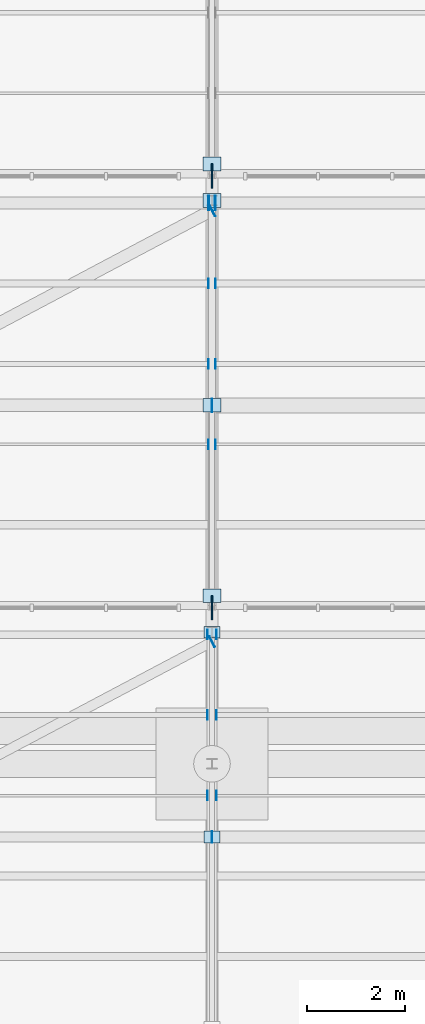
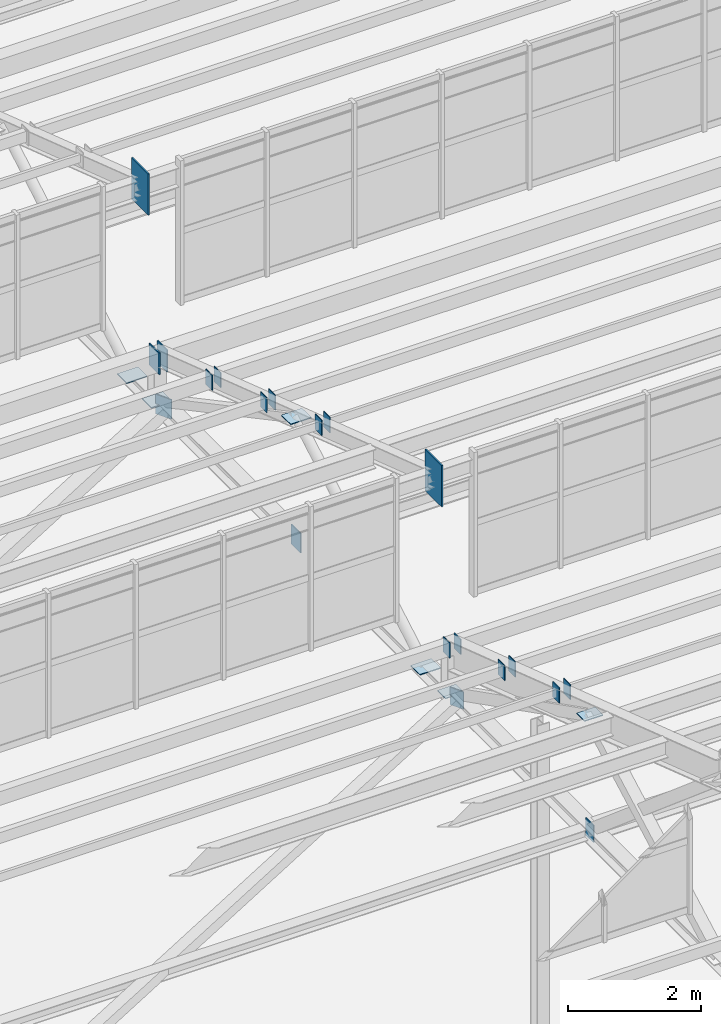
# One storey, part 207 of 285: 26 plates.
"""IFC4 building model written with IfcOpenShell, lengths in metres."""

from ifc_helpers import new_model, si_unit, direction, frame, origin, origin_2d, place, context, subcontext, project, spatial, rectangle, extrude, material, layer, layer_set, type_object, element, save


model = new_model("IFC4")

# Units and contexts
model_context = context("Model", 3, precision=1e-05, world=origin(), true_north=direction((0.0, 1.0)))
body_context = subcontext(model_context, "Body", "Model", "MODEL_VIEW")
ifc_project = project(units=[si_unit("LENGTHUNIT", "METRE"), si_unit("AREAUNIT", "SQUARE_METRE"), si_unit("VOLUMEUNIT", "CUBIC_METRE"), si_unit("PLANEANGLEUNIT", "RADIAN"), si_unit("MASSUNIT", "GRAM", prefix="KILO")], contexts=[model_context])

# Site, building, storey
site_placement = place(None, origin())
site = spatial("IfcSite", under=ifc_project, at=site_placement, CompositionType="ELEMENT")
building_placement = place(site_placement, origin())
building = spatial("IfcBuilding", under=site, at=building_placement, Name="Solanera Park Tramway Depot", CompositionType="ELEMENT")
storey_placement = place(building_placement, origin())
storey = spatial("IfcBuildingStorey", under=building, at=storey_placement, Name="L00", CompositionType="ELEMENT", Elevation=0.0)

# Plates
ifc_material_1 = material(Name="Steel AS/NZS 3679.1 Grade 350", Category="steel")
ifc_layer_1 = layer(ifc_material_1, 0.013916015625)
ifc_layer_set_1 = layer_set([ifc_layer_1], Name="Steel AS/NZS 3679.1 Grade 350")
plate_type_1 = type_object("IfcPlateType", Name="Hollow End Cap and Base Plate 280x200x14", PredefinedType="USERDEFINED", material=ifc_layer_set_1)
for number, where, z_axis, x_axis, name in (
    (1, (29.90625, 113.85009765625, 8.41064453125), (0.0, 0.0, 1.0), (1.0, 0.0, 0.0), "Hollow Section Welded End Cap Plate #0686"),
    (2, (30.09375, 113.85009765625, 8.41064453125), (0.0, 0.0, 1.0), (1.0, 0.0, 0.0), "Hollow Section Welded End Cap Plate #0687"),
    (3, (29.90625, 115.5, 7.8251953125), (0.0, 0.0, 1.0), (1.0, 0.0, 0.0), "Hollow Section Welded End Cap Plate #0706"),
    (4, (30.09375, 115.5, 7.8251953125), (0.0, 0.0, 1.0), (1.0, 0.0, 0.0), "Hollow Section Welded End Cap Plate #0707"),
    (5, (29.90625, 117.14990234375, 7.23974609375), (0.0, 0.0, 1.0), (1.0, 0.0, 0.0), "Hollow Section Welded End Cap Plate #0726"),
    (6, (30.09375, 117.14990234375, 7.23974609375), (0.0, 0.0, 1.0), (1.0, 0.0, 0.0), "Hollow Section Welded End Cap Plate #0727"),
    (7, (29.927978515625, 121.050048828125, 8.96240234375), (0.0, 0.0, 1.0), (1.0, 0.0, 0.0), "Hollow Section Welded End Cap Plate #0815"),
    (8, (30.072021484375, 121.050048828125, 8.96240234375), (0.0, 0.0, 1.0), (1.0, 0.0, 0.0), "Hollow Section Welded End Cap Plate #0816"),
    (9, (29.927978515625, 122.699951171875, 8.376953125), (0.0, 0.0, 1.0), (1.0, 0.0, 0.0), "Hollow Section Welded End Cap Plate #0835"),
    (10, (30.072021484375, 122.699951171875, 8.376953125), (0.0, 0.0, 1.0), (1.0, 0.0, 0.0), "Hollow Section Welded End Cap Plate #0836"),
    (11, (29.927978515625, 124.35009765625, 7.79150390625), (0.0, 0.0, 1.0), (1.0, 0.0, 0.0), "Hollow Section Welded End Cap Plate #0855"),
    (12, (30.072021484375, 124.35009765625, 7.79150390625), (0.0, 0.0, 1.0), (1.0, 0.0, 0.0), "Hollow Section Welded End Cap Plate #0856"),
):
    element("IfcPlate", number, at=place(storey_placement, frame(where, z_axis=z_axis, x_axis=x_axis)), inside=storey, type_object=plate_type_1, Name=name, ObjectType="BASE PLATE", PredefinedType="USERDEFINED", context=body_context, shape_type="SweptSolid", body=[
        extrude(rectangle(XDim=0.013916015625, YDim=0.199951171875, at=origin_2d()), origin(), (0.0, 0.0, 1.0), 0.280029296875),
    ])
ifc_material_2 = material(Name="Steel AS/NZS 3679.1 Grade 350", Category="steel")
ifc_layer_2 = layer(ifc_material_2, 0.01611328125)
ifc_layer_set_2 = layer_set([ifc_layer_2], Name="Steel AS/NZS 3679.1 Grade 350")
plate_type_2 = type_object("IfcPlateType", Name="Hollow End Cap and Base Plate 320x240x16", PredefinedType="USERDEFINED", material=ifc_layer_set_2)
plate_1_placement = place(storey_placement, frame((30.0, 113.0, 6.33984375), z_axis=(0.0, 0.0, 1.0), x_axis=(1.0, 0.0, 0.0)))
element("IfcPlate", 13, at=plate_1_placement, inside=storey, type_object=plate_type_2, Name="Sawtooth Truss Hollow End Cap #0639", ObjectType="BASE PLATE", PredefinedType="USERDEFINED", context=body_context, shape_type="SweptSolid", body=[
    extrude(rectangle(XDim=0.01611328125, YDim=0.239990234375, at=origin_2d()), origin(), (0.0, 0.0, 1.0), 0.320068359375),
])
for number, where, z_axis, x_axis, name in (
    (14, (30.0, 117.199951171875, 6.491943359375), (0.0, 0.0, 1.0), (1.0, 0.0, 0.0), "Sawtooth Truss Node Cap Plate #0640"),
    (15, (30.0, 113.0, 8.62158203125), (0.0, 0.0, 1.0), (1.0, 0.0, 0.0), "Sawtooth Truss Node Cap Plate #0641"),
):
    element("IfcPlate", number, at=place(storey_placement, frame(where, z_axis=z_axis, x_axis=x_axis)), inside=storey, type_object=plate_type_2, Name=name, ObjectType="BASE PLATE", PredefinedType="USERDEFINED", context=body_context, shape_type="SweptSolid", body=[
        extrude(rectangle(XDim=0.320068359375, YDim=0.239990234375, at=origin_2d()), origin(), (0.0, 0.0, 1.0), 0.01611328125),
    ])
plate_2_placement = place(storey_placement, frame((30.00146484375, 117.001953125, 6.33984375), z_axis=(0.0, 0.0, 1.0), x_axis=(0.883520501477, 0.468392488698, 0.0)))
element("IfcPlate", 16, at=plate_2_placement, inside=storey, type_object=plate_type_2, Name="Hollow Section Welded End Cap Plate #0746", ObjectType="BASE PLATE", PredefinedType="USERDEFINED", context=body_context, shape_type="SweptSolid", body=[
    extrude(rectangle(XDim=0.01611328125, YDim=0.239990234375, at=origin_2d()), origin(), (0.0, 0.0, 1.0), 0.320068359375),
])
ifc_material_3 = material(Name="Steel AS/NZS 3679.1 Grade 350", Category="steel")
ifc_layer_3 = layer(ifc_material_3, 0.01806640625)
ifc_layer_set_3 = layer_set([ifc_layer_3], Name="Steel AS/NZS 3679.1 Grade 350")
plate_type_3 = type_object("IfcPlateType", Name="Hollow End Cap and Base Plate 360x280x18", PredefinedType="USERDEFINED", material=ifc_layer_set_3)
plate_3_placement = place(storey_placement, frame((30.0, 121.85009765625, 6.31982421875), z_axis=(0.0, 0.0, 1.0), x_axis=(1.0, 0.0, 0.0)))
element("IfcPlate", 17, at=plate_3_placement, inside=storey, type_object=plate_type_3, Name="Sawtooth Truss Hollow End Cap #0768", ObjectType="BASE PLATE", PredefinedType="USERDEFINED", context=body_context, shape_type="SweptSolid", body=[
    extrude(rectangle(XDim=0.01806640625, YDim=0.280029296875, at=origin_2d()), origin(), (0.0, 0.0, 1.0), 0.360107421875),
])
for number, where, z_axis, x_axis, name in (
    (18, (30.0, 126.050048828125, 6.490966796875), (0.0, 0.0, 1.0), (1.0, 0.0, 0.0), "Sawtooth Truss Node Cap Plate #0769"),
    (19, (30.0, 121.85009765625, 8.733642578125), (0.0, 0.0, 1.0), (1.0, 0.0, 0.0), "Sawtooth Truss Node Cap Plate #0770"),
    (20, (30.0, 117.949951171875, 6.490966796875), (0.0, 0.0, 1.0), (1.0, 0.0, 0.0), "Sawtooth Truss Node Cap Plate #0771"),
):
    element("IfcPlate", number, at=place(storey_placement, frame(where, z_axis=z_axis, x_axis=x_axis)), inside=storey, type_object=plate_type_3, Name=name, ObjectType="BASE PLATE", PredefinedType="USERDEFINED", context=body_context, shape_type="SweptSolid", body=[
        extrude(rectangle(XDim=0.360107421875, YDim=0.280029296875, at=origin_2d()), origin(), (0.0, 0.0, 1.0), 0.01806640625),
    ])
plate_4_placement = place(storey_placement, frame((30.00244140625, 125.852294921875, 6.31982421875), z_axis=(0.0, 0.0, 1.0), x_axis=(0.883520501477, 0.468392488698, 0.0)))
element("IfcPlate", 21, at=plate_4_placement, inside=storey, type_object=plate_type_3, Name="Hollow Section Welded End Cap Plate #0893", ObjectType="BASE PLATE", PredefinedType="USERDEFINED", context=body_context, shape_type="SweptSolid", body=[
    extrude(rectangle(XDim=0.01806640625, YDim=0.280029296875, at=origin_2d()), origin(), (0.0, 0.0, 1.0), 0.360107421875),
])
plate_5_placement = place(storey_placement, frame((30.0, 126.800048828125, 6.490966796875), z_axis=(0.0, 0.0, 1.0), x_axis=(1.0, 0.0, 0.0)))
element("IfcPlate", 22, at=plate_5_placement, inside=storey, type_object=plate_type_3, Name="Sawtooth Truss Node Cap Plate #0913", ObjectType="BASE PLATE", PredefinedType="USERDEFINED", context=body_context, shape_type="SweptSolid", body=[
    extrude(rectangle(XDim=0.360107421875, YDim=0.280029296875, at=origin_2d()), origin(), (0.0, 0.0, 1.0), 0.01806640625),
])
ifc_material_4 = material(Name="Steel AS/NZS 3679.1 Grade 350", Category="steel")
ifc_layer_4 = layer(ifc_material_4, 0.02001953125)
ifc_layer_set_4 = layer_set([ifc_layer_4], Name="Steel AS/NZS 3679.1 Grade 350")
plate_type_4 = type_object("IfcPlateType", Name="Hollow End Cap and Base Plate 400x300x20", PredefinedType="USERDEFINED", material=ifc_layer_set_4)
for number, where, z_axis, x_axis, name in (
    (23, (29.930908203125, 126.0, 7.11279296875), (0.0, 0.0, 1.0), (1.0, 0.0, 0.0), "Hollow Section Welded End Cap Plate #0875"),
    (24, (30.069091796875, 126.0, 7.11279296875), (0.0, 0.0, 1.0), (1.0, 0.0, 0.0), "Hollow Section Welded End Cap Plate #0876"),
):
    element("IfcPlate", number, at=place(storey_placement, frame(where, z_axis=z_axis, x_axis=x_axis)), inside=storey, type_object=plate_type_4, Name=name, ObjectType="BASE PLATE", PredefinedType="USERDEFINED", context=body_context, shape_type="SweptSolid", body=[
        extrude(rectangle(XDim=0.02001953125, YDim=0.300048828125, at=origin_2d()), origin(), (0.0, 0.0, 1.0), 0.39990234375),
    ])
ifc_material_5 = material(Name="Steel AS/NZS 3679.1 Grade 350", Category="steel")
ifc_layer_5 = layer(ifc_material_5, 0.02587890625)
ifc_layer_set_5 = layer_set([ifc_layer_5], Name="Steel AS/NZS 3679.1 Grade 350")
plate_type_5 = type_object("IfcPlateType", Name="Truss Node Gusset Stiffener 760x500x26", PredefinedType="SHEET", material=ifc_layer_set_5)
for number, where, z_axis, x_axis, name in (
    (25, (30.0, 117.699951171875, 9.7509765625), (0.0, 0.0, 1.0), (1.0, 0.0, 0.0), "Sawtooth Truss Apex Gusset Plate #0767"),
    (26, (30.0, 126.550048828125, 9.7509765625), (0.0, 0.0, 1.0), (1.0, 0.0, 0.0), "Sawtooth Truss Apex Gusset Plate #0909"),
):
    element("IfcPlate", number, at=place(storey_placement, frame(where, z_axis=z_axis, x_axis=x_axis)), inside=storey, type_object=plate_type_5, Name=name, PredefinedType="SHEET", context=body_context, shape_type="SweptSolid", body=[
        extrude(rectangle(XDim=0.02587890625, YDim=0.5, at=origin_2d()), origin(), (0.0, 0.0, 1.0), 0.760009765625),
    ])

save(model, "model.ifc")
